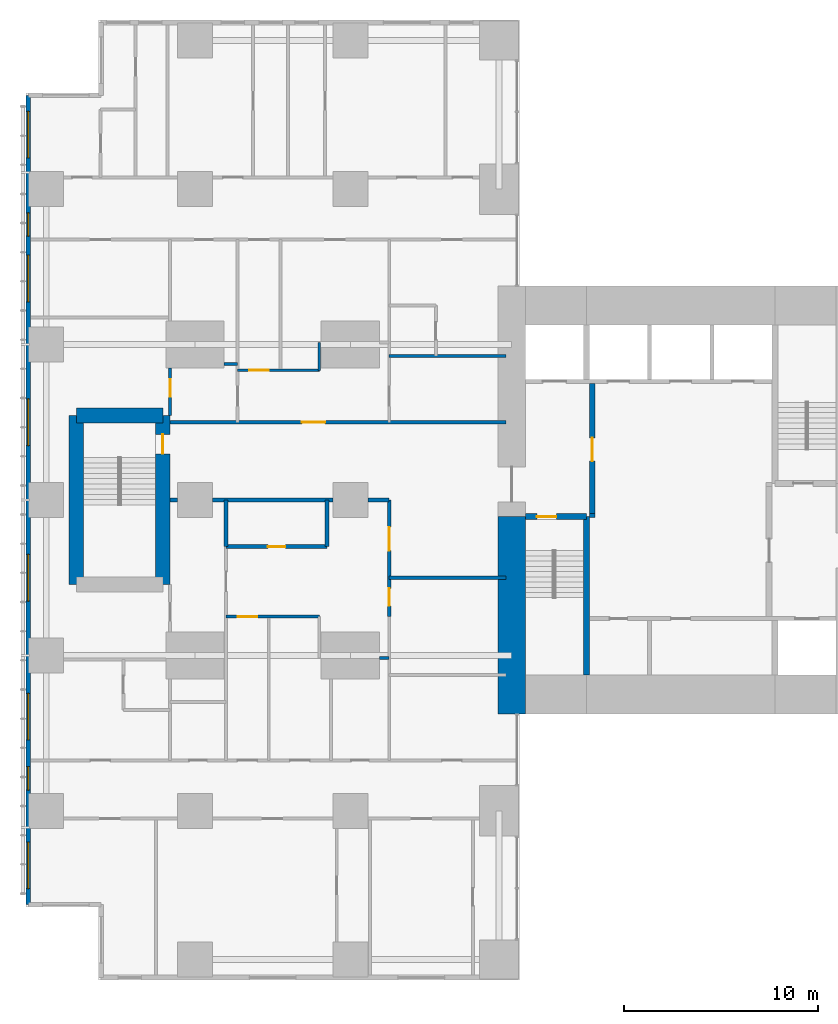
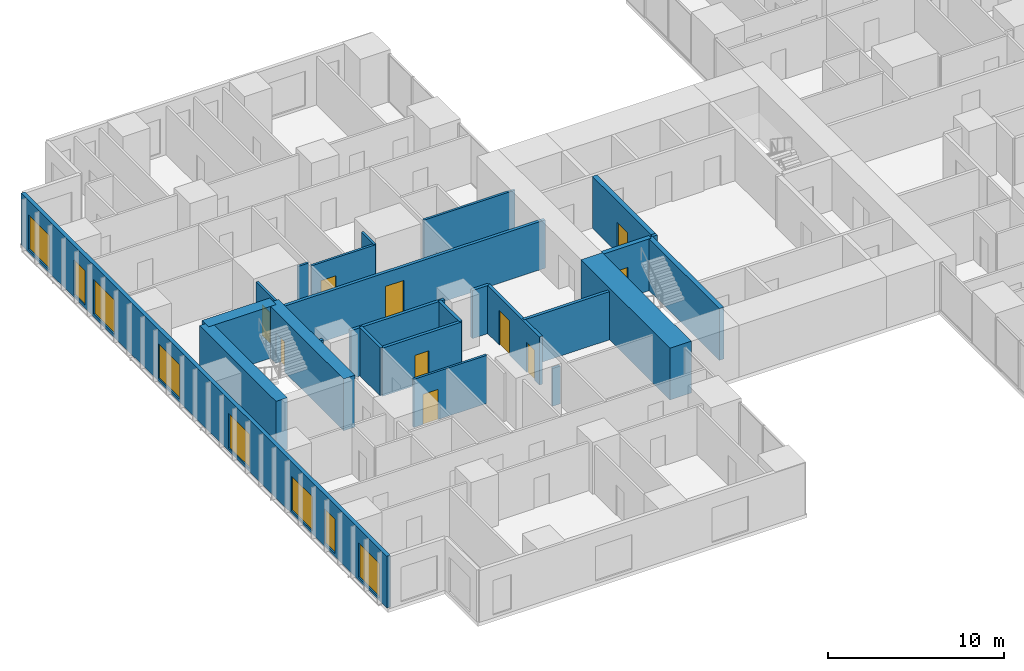
# One storey, part 13 of 20: 25 walls, 10 doors, 8 windows, 18 openings.
"""IFC4 building model written with IfcOpenShell, lengths in metres."""

from ifc_helpers import new_model, si_unit, direction, frame, frame_2d, origin, place, context, subcontext, project, spatial, rectangle, extrude, material, layer, layer_set, type_object, element, fill, save


model = new_model("IFC4")

# Units and contexts
model_context = context("Model", 3, precision=1e-05, world=origin(), true_north=direction((0.0, 1.0)))
body_context = subcontext(model_context, "Body", "Model", "MODEL_VIEW")
ifc_project = project(units=[si_unit("LENGTHUNIT", "METRE"), si_unit("AREAUNIT", "SQUARE_METRE"), si_unit("VOLUMEUNIT", "CUBIC_METRE"), si_unit("PLANEANGLEUNIT", "RADIAN"), si_unit("MASSUNIT", "GRAM", prefix="KILO")], contexts=[model_context])

# Site, building, storey
site_placement = place(None, origin())
site = spatial("IfcSite", under=ifc_project, at=site_placement, CompositionType="ELEMENT")
building_placement = place(site_placement, origin())
building = spatial("IfcBuilding", under=site, at=building_placement, Name="Cleftline Residences", CompositionType="ELEMENT")
storey_placement = place(building_placement, frame((0.0, 0.0, 193.0)))
storey = spatial("IfcBuildingStorey", under=building, at=storey_placement, Name="L50", CompositionType="ELEMENT", Elevation=193.0)

# Walls
ifc_material_1 = material(Name="Concrete B70", Category="concrete")
ifc_layer_1 = layer(ifc_material_1, 1.39990234375)
ifc_layer_set_1 = layer_set([ifc_layer_1], Name="CORE WALL 1400")
wall_type_1 = type_object("IfcWallType", Name="CORE WALL 1400", PredefinedType="SHEAR", material=ifc_layer_set_1)
wall_1_placement = place(storey_placement, frame((24.300048828125, 13.0, 0.0), z_axis=(0.0, 0.0, 1.0), x_axis=(0.0, 1.0, 0.0)))
element("IfcWall", 1, at=wall_1_placement, inside=storey, type_object=wall_type_1, Name="Core wall W0", PredefinedType="SHEAR", context=body_context, shape_type="SweptSolid", body=[
    extrude(rectangle(XDim=10.14990234375, YDim=1.39990234375, at=frame_2d((5.074951171875, 0.0))), origin(), (0.0, 0.0, 1.0), 3.60009765625),
])
ifc_material_2 = material(Name="Concrete B70", Category="concrete")
ifc_layer_2 = layer(ifc_material_2, 0.300048828125)
ifc_layer_set_2 = layer_set([ifc_layer_2], Name="CORE WALL 300")
wall_type_2 = type_object("IfcWallType", Name="CORE WALL 300", PredefinedType="SHEAR", material=ifc_layer_set_2)
wall_2_placement = place(storey_placement, frame((28.14990234375, 15.0, 0.0), z_axis=(0.0, 0.0, 1.0), x_axis=(0.0, 1.0, 0.0)))
element("IfcWall", 2, at=wall_2_placement, inside=storey, type_object=wall_type_2, Name="Core wall SA-E", PredefinedType="SHEAR", context=body_context, shape_type="SweptSolid", body=[
    extrude(rectangle(XDim=8.14990234375, YDim=0.300048828125, at=frame_2d((4.074951171875, 0.0))), origin(), (0.0, 0.0, 1.0), 3.60009765625),
])

# Wall, opening, door
wall_3_placement = place(storey_placement, frame((25.0, 23.14990234375, 0.0), z_axis=(0.0, 0.0, 1.0), x_axis=(1.0, 0.0, 0.0)))
wall_3 = element("IfcWall", 3, at=wall_3_placement, inside=storey, type_object=wall_type_2, Name="Core wall SA-N", PredefinedType="SHEAR", context=body_context, shape_type="SweptSolid", body=[
    extrude(rectangle(XDim=3.14990234375, YDim=0.300048828125, at=frame_2d((1.574951171875, 0.0))), origin(), (0.0, 0.0, 1.0), 3.60009765625),
])
opening_1_placement = place(wall_3_placement, frame((0.60009765625, 0.0, 0.0)))
opening_1 = element("IfcOpeningElement", 4, at=opening_1_placement, cuts=wall_3, Name="Opening D5", PredefinedType="OPENING", context=body_context, shape_type="SweptSolid", body=[
    extrude(rectangle(XDim=1.0, YDim=2.10009765625, at=frame_2d((0.5, 1.050048828125))), frame((0.0, 0.159912109375, 0.0), z_axis=(0.0, -1.0, 0.0), x_axis=(1.0, 0.0, 0.0)), (0.0, 0.0, 1.0), 0.320068359375),
])
ifc_material_3 = material(Name="Steel", Category="steel")
door_type_1 = type_object("IfcDoorType", Name="STAIR DOOR 1000X2100", OperationType="SINGLE_SWING_LEFT", PredefinedType="DOOR", material=ifc_material_3)
door_1_placement = place(opening_1_placement, origin())
door_1 = element("IfcDoor", 5, at=door_1_placement, inside=storey, type_object=door_type_1, Name="Stair A door", OperationType="SINGLE_SWING_RIGHT", OverallHeight=2.10009765625, OverallWidth=1.0, PredefinedType="DOOR", context=body_context, shape_type="SweptSolid", body=[
    extrude(rectangle(XDim=1.0, YDim=2.10009765625, at=frame_2d((0.5, 1.050048828125))), frame((0.0, 0.02490234375, 0.0), z_axis=(0.0, -1.0, 0.0), x_axis=(1.0, 0.0, 0.0)), (0.0, 0.0, 1.0), 0.050048828125),
])
fill(opening_1, door_1)

# Wall, openings, windows
ifc_material_4 = material(Name="Rendered reinforced concrete blockwork", Category="masonry")
ifc_layer_3 = layer(ifc_material_4, 0.25)
ifc_layer_set_3 = layer_set([ifc_layer_3], Name="EXTERNAL WALL 250")
wall_type_3 = type_object("IfcWallType", Name="EXTERNAL WALL 250", PredefinedType="SOLIDWALL", material=ifc_layer_set_3)
wall_4_placement = place(storey_placement, frame((-0.574951171875, 44.824951171875, 0.0), z_axis=(0.0, 0.0, 1.0), x_axis=(0.0, -1.0, 0.0)))
wall_4 = element("IfcWall", 6, at=wall_4_placement, inside=storey, type_object=wall_type_3, Name="External wall", PredefinedType="SOLIDWALL", context=body_context, shape_type="SweptSolid", body=[
    extrude(rectangle(XDim=41.64990234375, YDim=0.25, at=frame_2d((20.824951171875, 0.0))), origin(), (0.0, 0.0, 1.0), 3.60009765625),
])
opening_2_placement = place(wall_4_placement, frame((0.824951171875, 0.0, 0.199951171875)))
opening_2 = element("IfcOpeningElement", 7, at=opening_2_placement, cuts=wall_4, Name="Opening W9", PredefinedType="OPENING", context=body_context, shape_type="SweptSolid", body=[
    extrude(rectangle(XDim=2.39990234375, YDim=2.39990234375, at=frame_2d((1.199951171875, 1.199951171875))), frame((0.0, 0.135009765625, 0.0), z_axis=(0.0, -1.0, 0.0), x_axis=(1.0, 0.0, 0.0)), (0.0, 0.0, 1.0), 0.27001953125),
])
opening_3_placement = place(wall_4_placement, frame((6.050048828125, 0.0, 0.199951171875)))
opening_3 = element("IfcOpeningElement", 8, at=opening_3_placement, cuts=wall_4, Name="Opening W13", PredefinedType="OPENING", context=body_context, shape_type="SweptSolid", body=[
    extrude(rectangle(XDim=1.199951171875, YDim=2.39990234375, at=frame_2d((0.60009765625, 1.199951171875))), frame((0.0, 0.135009765625, 0.0), z_axis=(0.0, -1.0, 0.0), x_axis=(1.0, 0.0, 0.0)), (0.0, 0.0, 1.0), 0.27001953125),
])
opening_4_placement = place(wall_4_placement, frame((8.22509765625, 0.0, 0.199951171875)))
opening_4 = element("IfcOpeningElement", 9, at=opening_4_placement, cuts=wall_4, Name="Opening W9", PredefinedType="OPENING", context=body_context, shape_type="SweptSolid", body=[
    extrude(rectangle(XDim=2.39990234375, YDim=2.39990234375, at=frame_2d((1.199951171875, 1.199951171875))), frame((0.0, 0.135009765625, 0.0), z_axis=(0.0, -1.0, 0.0), x_axis=(1.0, 0.0, 0.0)), (0.0, 0.0, 1.0), 0.27001953125),
])
opening_5_placement = place(wall_4_placement, frame((15.625, 0.0, 0.199951171875)))
opening_5 = element("IfcOpeningElement", 10, at=opening_5_placement, cuts=wall_4, Name="Opening W9", PredefinedType="OPENING", context=body_context, shape_type="SweptSolid", body=[
    extrude(rectangle(XDim=2.39990234375, YDim=2.39990234375, at=frame_2d((1.199951171875, 1.199951171875))), frame((0.0, 0.135009765625, 0.0), z_axis=(0.0, -1.0, 0.0), x_axis=(1.0, 0.0, 0.0)), (0.0, 0.0, 1.0), 0.27001953125),
])
opening_6_placement = place(wall_4_placement, frame((23.625, 0.0, 0.199951171875)))
opening_6 = element("IfcOpeningElement", 11, at=opening_6_placement, cuts=wall_4, Name="Opening W9", PredefinedType="OPENING", context=body_context, shape_type="SweptSolid", body=[
    extrude(rectangle(XDim=2.39990234375, YDim=2.39990234375, at=frame_2d((1.199951171875, 1.199951171875))), frame((0.0, 0.135009765625, 0.0), z_axis=(0.0, -1.0, 0.0), x_axis=(1.0, 0.0, 0.0)), (0.0, 0.0, 1.0), 0.27001953125),
])
opening_7_placement = place(wall_4_placement, frame((30.77490234375, 0.0, 0.199951171875)))
opening_7 = element("IfcOpeningElement", 12, at=opening_7_placement, cuts=wall_4, Name="Opening W9", PredefinedType="OPENING", context=body_context, shape_type="SweptSolid", body=[
    extrude(rectangle(XDim=2.39990234375, YDim=2.39990234375, at=frame_2d((1.199951171875, 1.199951171875))), frame((0.0, 0.135009765625, 0.0), z_axis=(0.0, -1.0, 0.0), x_axis=(1.0, 0.0, 0.0)), (0.0, 0.0, 1.0), 0.27001953125),
])
opening_8_placement = place(wall_4_placement, frame((34.550048828125, 0.0, 0.199951171875)))
opening_8 = element("IfcOpeningElement", 13, at=opening_8_placement, cuts=wall_4, Name="Opening W13", PredefinedType="OPENING", context=body_context, shape_type="SweptSolid", body=[
    extrude(rectangle(XDim=1.199951171875, YDim=2.39990234375, at=frame_2d((0.60009765625, 1.199951171875))), frame((0.0, 0.135009765625, 0.0), z_axis=(0.0, -1.0, 0.0), x_axis=(1.0, 0.0, 0.0)), (0.0, 0.0, 1.0), 0.27001953125),
])
opening_9_placement = place(wall_4_placement, frame((38.425048828125, 0.0, 0.199951171875)))
opening_9 = element("IfcOpeningElement", 14, at=opening_9_placement, cuts=wall_4, Name="Opening W9", PredefinedType="OPENING", context=body_context, shape_type="SweptSolid", body=[
    extrude(rectangle(XDim=2.39990234375, YDim=2.39990234375, at=frame_2d((1.199951171875, 1.199951171875))), frame((0.0, 0.135009765625, 0.0), z_axis=(0.0, -1.0, 0.0), x_axis=(1.0, 0.0, 0.0)), (0.0, 0.0, 1.0), 0.27001953125),
])
ifc_material_5 = material(Name="Aluminium frame, clear double glazing", Category="aluminium")
window_type_1 = type_object("IfcWindowType", Name="WINDOW 1200X2400", PartitioningType="DOUBLE_PANEL_VERTICAL", PredefinedType="WINDOW", material=ifc_material_5)
window_1_placement = place(opening_3_placement, origin())
window_1 = element("IfcWindow", 15, at=window_1_placement, inside=storey, type_object=window_type_1, Name="Window", OverallHeight=2.39990234375, OverallWidth=1.199951171875, PartitioningType="SINGLE_PANEL", PredefinedType="WINDOW", context=body_context, shape_type="SweptSolid", body=[
    extrude(rectangle(XDim=1.199951171875, YDim=2.39990234375, at=frame_2d((0.60009765625, 1.199951171875))), frame((0.0, 0.030029296875, 0.0), z_axis=(0.0, -1.0, 0.0), x_axis=(1.0, 0.0, 0.0)), (0.0, 0.0, 1.0), 0.06005859375),
])
fill(opening_3, window_1)
window_2_placement = place(opening_8_placement, origin())
window_2 = element("IfcWindow", 16, at=window_2_placement, inside=storey, type_object=window_type_1, Name="Window", OverallHeight=2.39990234375, OverallWidth=1.199951171875, PartitioningType="SINGLE_PANEL", PredefinedType="WINDOW", context=body_context, shape_type="SweptSolid", body=[
    extrude(rectangle(XDim=1.199951171875, YDim=2.39990234375, at=frame_2d((0.60009765625, 1.199951171875))), frame((0.0, 0.030029296875, 0.0), z_axis=(0.0, -1.0, 0.0), x_axis=(1.0, 0.0, 0.0)), (0.0, 0.0, 1.0), 0.06005859375),
])
fill(opening_8, window_2)
ifc_material_6 = material(Name="Aluminium frame, clear double glazing", Category="aluminium")
window_type_2 = type_object("IfcWindowType", Name="WINDOW 2400X2400", PartitioningType="DOUBLE_PANEL_VERTICAL", PredefinedType="WINDOW", material=ifc_material_6)
window_3_placement = place(opening_2_placement, origin())
window_3 = element("IfcWindow", 17, at=window_3_placement, inside=storey, type_object=window_type_2, Name="Window", OverallHeight=2.39990234375, OverallWidth=2.39990234375, PartitioningType="SINGLE_PANEL", PredefinedType="WINDOW", context=body_context, shape_type="SweptSolid", body=[
    extrude(rectangle(XDim=2.39990234375, YDim=2.39990234375, at=frame_2d((1.199951171875, 1.199951171875))), frame((0.0, 0.030029296875, 0.0), z_axis=(0.0, -1.0, 0.0), x_axis=(1.0, 0.0, 0.0)), (0.0, 0.0, 1.0), 0.06005859375),
])
fill(opening_2, window_3)
window_4_placement = place(opening_4_placement, origin())
window_4 = element("IfcWindow", 18, at=window_4_placement, inside=storey, type_object=window_type_2, Name="Window", OverallHeight=2.39990234375, OverallWidth=2.39990234375, PartitioningType="SINGLE_PANEL", PredefinedType="WINDOW", context=body_context, shape_type="SweptSolid", body=[
    extrude(rectangle(XDim=2.39990234375, YDim=2.39990234375, at=frame_2d((1.199951171875, 1.199951171875))), frame((0.0, 0.030029296875, 0.0), z_axis=(0.0, -1.0, 0.0), x_axis=(1.0, 0.0, 0.0)), (0.0, 0.0, 1.0), 0.06005859375),
])
fill(opening_4, window_4)
window_5_placement = place(opening_5_placement, origin())
window_5 = element("IfcWindow", 19, at=window_5_placement, inside=storey, type_object=window_type_2, Name="Window", OverallHeight=2.39990234375, OverallWidth=2.39990234375, PartitioningType="SINGLE_PANEL", PredefinedType="WINDOW", context=body_context, shape_type="SweptSolid", body=[
    extrude(rectangle(XDim=2.39990234375, YDim=2.39990234375, at=frame_2d((1.199951171875, 1.199951171875))), frame((0.0, 0.030029296875, 0.0), z_axis=(0.0, -1.0, 0.0), x_axis=(1.0, 0.0, 0.0)), (0.0, 0.0, 1.0), 0.06005859375),
])
fill(opening_5, window_5)
window_6_placement = place(opening_6_placement, origin())
window_6 = element("IfcWindow", 20, at=window_6_placement, inside=storey, type_object=window_type_2, Name="Window", OverallHeight=2.39990234375, OverallWidth=2.39990234375, PartitioningType="SINGLE_PANEL", PredefinedType="WINDOW", context=body_context, shape_type="SweptSolid", body=[
    extrude(rectangle(XDim=2.39990234375, YDim=2.39990234375, at=frame_2d((1.199951171875, 1.199951171875))), frame((0.0, 0.030029296875, 0.0), z_axis=(0.0, -1.0, 0.0), x_axis=(1.0, 0.0, 0.0)), (0.0, 0.0, 1.0), 0.06005859375),
])
fill(opening_6, window_6)
window_7_placement = place(opening_7_placement, origin())
window_7 = element("IfcWindow", 21, at=window_7_placement, inside=storey, type_object=window_type_2, Name="Window", OverallHeight=2.39990234375, OverallWidth=2.39990234375, PartitioningType="SINGLE_PANEL", PredefinedType="WINDOW", context=body_context, shape_type="SweptSolid", body=[
    extrude(rectangle(XDim=2.39990234375, YDim=2.39990234375, at=frame_2d((1.199951171875, 1.199951171875))), frame((0.0, 0.030029296875, 0.0), z_axis=(0.0, -1.0, 0.0), x_axis=(1.0, 0.0, 0.0)), (0.0, 0.0, 1.0), 0.06005859375),
])
fill(opening_7, window_7)
window_8_placement = place(opening_9_placement, origin())
window_8 = element("IfcWindow", 22, at=window_8_placement, inside=storey, type_object=window_type_2, Name="Window", OverallHeight=2.39990234375, OverallWidth=2.39990234375, PartitioningType="SINGLE_PANEL", PredefinedType="WINDOW", context=body_context, shape_type="SweptSolid", body=[
    extrude(rectangle(XDim=2.39990234375, YDim=2.39990234375, at=frame_2d((1.199951171875, 1.199951171875))), frame((0.0, 0.030029296875, 0.0), z_axis=(0.0, -1.0, 0.0), x_axis=(1.0, 0.0, 0.0)), (0.0, 0.0, 1.0), 0.06005859375),
])
fill(opening_9, window_8)

# Wall
ifc_material_7 = material(Name="Concrete blockwork, fire rated", Category="masonry")
ifc_layer_4 = layer(ifc_material_7, 0.199951171875)
ifc_layer_set_4 = layer_set([ifc_layer_4], Name="FIRE WALL 200")
wall_type_4 = type_object("IfcWallType", Name="FIRE WALL 200", PredefinedType="PARTITIONING", material=ifc_layer_set_4)
wall_5_placement = place(storey_placement, frame((18.0, 20.0, 0.0), z_axis=(0.0, 0.0, 1.0), x_axis=(1.0, 0.0, 0.0)))
element("IfcWall", 23, at=wall_5_placement, inside=storey, type_object=wall_type_4, Name="Fire separating wall", PredefinedType="PARTITIONING", context=body_context, shape_type="SweptSolid", body=[
    extrude(rectangle(XDim=6.0, YDim=0.199951171875, at=frame_2d((3.0, 0.0))), origin(), (0.0, 0.0, 1.0), 3.35009765625),
])

# Wall, opening, door
wall_6_placement = place(storey_placement, frame((9.60009765625, 21.60009765625, 0.0), z_axis=(0.0, 0.0, 1.0), x_axis=(1.0, 0.0, 0.0)))
wall_6 = element("IfcWall", 24, at=wall_6_placement, inside=storey, type_object=wall_type_4, Name="Fire separating wall", PredefinedType="PARTITIONING", context=body_context, shape_type="SweptSolid", body=[
    extrude(rectangle(XDim=5.199951171875, YDim=0.199951171875, at=frame_2d((2.60009765625, 0.0))), origin(), (0.0, 0.0, 1.0), 3.35009765625),
])
opening_10_placement = place(wall_6_placement, frame((2.14990234375, 0.0, 0.0)))
opening_10 = element("IfcOpeningElement", 25, at=opening_10_placement, cuts=wall_6, Name="Opening D1F30", PredefinedType="OPENING", context=body_context, shape_type="SweptSolid", body=[
    extrude(rectangle(XDim=0.89990234375, YDim=2.10009765625, at=frame_2d((0.449951171875, 1.050048828125))), frame((0.0, 0.10986328125, 0.0), z_axis=(0.0, -1.0, 0.0), x_axis=(1.0, 0.0, 0.0)), (0.0, 0.0, 1.0), 0.219970703125),
])
ifc_material_8 = material(Name="Timber veneer on solid core", Category="wood")
door_type_2 = type_object("IfcDoorType", Name="DOOR 900X2100 EI 30", OperationType="SINGLE_SWING_LEFT", PredefinedType="DOOR", material=ifc_material_8)
door_2_placement = place(opening_10_placement, origin())
door_2 = element("IfcDoor", 26, at=door_2_placement, inside=storey, type_object=door_type_2, Name="Door to cloakroom wc", OperationType="SINGLE_SWING_LEFT", OverallHeight=2.10009765625, OverallWidth=0.89990234375, PredefinedType="DOOR", context=body_context, shape_type="SweptSolid", body=[
    extrude(rectangle(XDim=0.89990234375, YDim=2.10009765625, at=frame_2d((0.449951171875, 1.050048828125))), frame((0.0, 0.02490234375, 0.0), z_axis=(0.0, -1.0, 0.0), x_axis=(1.0, 0.0, 0.0)), (0.0, 0.0, 1.0), 0.050048828125),
])
fill(opening_10, door_2)

# Walls
wall_7_placement = place(storey_placement, frame((6.72509765625, 24.0, 0.0), z_axis=(0.0, 0.0, 1.0), x_axis=(1.0, 0.0, 0.0)))
element("IfcWall", 27, at=wall_7_placement, inside=storey, type_object=wall_type_4, Name="Fire separating wall", PredefinedType="PARTITIONING", context=body_context, shape_type="SweptSolid", body=[
    extrude(rectangle(XDim=0.375, YDim=0.199951171875, at=frame_2d((0.1875, 0.0))), origin(), (0.0, 0.0, 1.0), 3.35009765625),
])
wall_8_placement = place(storey_placement, frame((8.89990234375, 24.0, 0.0), z_axis=(0.0, 0.0, 1.0), x_axis=(1.0, 0.0, 0.0)))
element("IfcWall", 28, at=wall_8_placement, inside=storey, type_object=wall_type_4, Name="Fire separating wall", PredefinedType="PARTITIONING", context=body_context, shape_type="SweptSolid", body=[
    extrude(rectangle(XDim=6.2001953125, YDim=0.199951171875, at=frame_2d((3.10009765625, 0.0))), origin(), (0.0, 0.0, 1.0), 3.35009765625),
])
wall_9_placement = place(storey_placement, frame((16.89990234375, 24.0, 0.0), z_axis=(0.0, 0.0, 1.0), x_axis=(1.0, 0.0, 0.0)))
element("IfcWall", 29, at=wall_9_placement, inside=storey, type_object=wall_type_4, Name="Fire separating wall", PredefinedType="PARTITIONING", context=body_context, shape_type="SweptSolid", body=[
    extrude(rectangle(XDim=1.10009765625, YDim=0.199951171875, at=frame_2d((0.550048828125, 0.0))), origin(), (0.0, 0.0, 1.0), 3.35009765625),
])

# Wall, opening, door
wall_10_placement = place(storey_placement, frame((6.72509765625, 28.0, 0.0), z_axis=(0.0, 0.0, 1.0), x_axis=(1.0, 0.0, 0.0)))
wall_10 = element("IfcWall", 30, at=wall_10_placement, inside=storey, type_object=wall_type_4, Name="Fire separating wall", PredefinedType="PARTITIONING", context=body_context, shape_type="SweptSolid", body=[
    extrude(rectangle(XDim=17.27490234375, YDim=0.199951171875, at=frame_2d((8.637451171875, 0.0))), origin(), (0.0, 0.0, 1.0), 3.35009765625),
])
opening_11_placement = place(wall_10_placement, frame((6.77490234375, 0.0, 0.0)))
opening_11 = element("IfcOpeningElement", 31, at=opening_11_placement, cuts=wall_10, Name="Opening D4", PredefinedType="OPENING", context=body_context, shape_type="SweptSolid", body=[
    extrude(rectangle(XDim=1.199951171875, YDim=2.39990234375, at=frame_2d((0.60009765625, 1.199951171875))), frame((0.0, 0.10986328125, 0.0), z_axis=(0.0, -1.0, 0.0), x_axis=(1.0, 0.0, 0.0)), (0.0, 0.0, 1.0), 0.219970703125),
])
ifc_material_9 = material(Name="Timber veneer on solid core", Category="wood")
door_type_3 = type_object("IfcDoorType", Name="APARTMENT ENTRANCE DOOR 1200X2400", OperationType="SINGLE_SWING_RIGHT", PredefinedType="DOOR", material=ifc_material_9)
door_3_placement = place(opening_11_placement, origin())
door_3 = element("IfcDoor", 32, at=door_3_placement, inside=storey, type_object=door_type_3, Name="Door to residence entrance (gallery)", OperationType="SINGLE_SWING_RIGHT", OverallHeight=2.39990234375, OverallWidth=1.199951171875, PredefinedType="DOOR", context=body_context, shape_type="SweptSolid", body=[
    extrude(rectangle(XDim=1.199951171875, YDim=2.39990234375, at=frame_2d((0.60009765625, 1.199951171875))), frame((0.0, 0.02490234375, 0.0), z_axis=(0.0, -1.0, 0.0), x_axis=(1.0, 0.0, 0.0)), (0.0, 0.0, 1.0), 0.050048828125),
])
fill(opening_11, door_3)

# Walls
for number, where, z_axis, x_axis, name in (
    (33, (9.60009765625, 21.60009765625, 0.0), (0.0, 0.0, 1.0), (0.0, 1.0, 0.0), "Fire separating wall"),
    (34, (14.800048828125, 21.60009765625, 0.0), (0.0, 0.0, 1.0), (0.0, 1.0, 0.0), "Fire separating wall"),
):
    element("IfcWall", number, at=place(storey_placement, frame(where, z_axis=z_axis, x_axis=x_axis)), inside=storey, type_object=wall_type_4, Name=name, PredefinedType="PARTITIONING", context=body_context, shape_type="SweptSolid", body=[
        extrude(rectangle(XDim=2.39990234375, YDim=0.199951171875, at=frame_2d((1.199951171875, 0.0))), origin(), (0.0, 0.0, 1.0), 3.35009765625),
    ])

# Wall, openings, doors
wall_11_placement = place(storey_placement, frame((18.0, 18.0, 0.0), z_axis=(0.0, 0.0, 1.0), x_axis=(0.0, 1.0, 0.0)))
wall_11 = element("IfcWall", 35, at=wall_11_placement, inside=storey, type_object=wall_type_4, Name="Fire separating wall", PredefinedType="PARTITIONING", context=body_context, shape_type="SweptSolid", body=[
    extrude(rectangle(XDim=6.0, YDim=0.199951171875, at=frame_2d((3.0, 0.0))), origin(), (0.0, 0.0, 1.0), 3.35009765625),
])
opening_12_placement = place(wall_11_placement, frame((3.39990234375, 0.0, 0.0)))
opening_12 = element("IfcOpeningElement", 36, at=opening_12_placement, cuts=wall_11, Name="Opening D4", PredefinedType="OPENING", context=body_context, shape_type="SweptSolid", body=[
    extrude(rectangle(XDim=1.199951171875, YDim=2.39990234375, at=frame_2d((0.60009765625, 1.199951171875))), frame((0.0, 0.10986328125, 0.0), z_axis=(0.0, -1.0, 0.0), x_axis=(1.0, 0.0, 0.0)), (0.0, 0.0, 1.0), 0.219970703125),
])
opening_13_placement = place(wall_11_placement, frame((0.550048828125, 0.0, 0.0)))
opening_13 = element("IfcOpeningElement", 37, at=opening_13_placement, cuts=wall_11, Name="Opening D1F30", PredefinedType="OPENING", context=body_context, shape_type="SweptSolid", body=[
    extrude(rectangle(XDim=0.89990234375, YDim=2.10009765625, at=frame_2d((0.449951171875, 1.050048828125))), frame((0.0, 0.10986328125, 0.0), z_axis=(0.0, -1.0, 0.0), x_axis=(1.0, 0.0, 0.0)), (0.0, 0.0, 1.0), 0.219970703125),
])
door_4_placement = place(opening_12_placement, origin())
door_4 = element("IfcDoor", 38, at=door_4_placement, inside=storey, type_object=door_type_3, Name="Door to residence entrance foyer", OperationType="SINGLE_SWING_LEFT", OverallHeight=2.39990234375, OverallWidth=1.199951171875, PredefinedType="DOOR", context=body_context, shape_type="SweptSolid", body=[
    extrude(rectangle(XDim=1.199951171875, YDim=2.39990234375, at=frame_2d((0.60009765625, 1.199951171875))), frame((0.0, 0.02490234375, 0.0), z_axis=(0.0, -1.0, 0.0), x_axis=(1.0, 0.0, 0.0)), (0.0, 0.0, 1.0), 0.050048828125),
])
fill(opening_12, door_4)
door_5_placement = place(opening_13_placement, origin())
door_5 = element("IfcDoor", 39, at=door_5_placement, inside=storey, type_object=door_type_2, Name="Door to utility room", OperationType="SINGLE_SWING_RIGHT", OverallHeight=2.10009765625, OverallWidth=0.89990234375, PredefinedType="DOOR", context=body_context, shape_type="SweptSolid", body=[
    extrude(rectangle(XDim=0.89990234375, YDim=2.10009765625, at=frame_2d((0.449951171875, 1.050048828125))), frame((0.0, 0.02490234375, 0.0), z_axis=(0.0, -1.0, 0.0), x_axis=(1.0, 0.0, 0.0)), (0.0, 0.0, 1.0), 0.050048828125),
])
fill(opening_13, door_5)

# Walls
wall_12_placement = place(storey_placement, frame((28.300048828125, 23.199951171875, 0.0), z_axis=(0.0, 0.0, 1.0), x_axis=(1.0, 0.0, 0.0)))
element("IfcWall", 40, at=wall_12_placement, inside=storey, type_object=wall_type_4, Name="Fire separating wall", PredefinedType="PARTITIONING", context=body_context, shape_type="SweptSolid", body=[
    extrude(rectangle(XDim=0.300048828125, YDim=0.199951171875, at=frame_2d((0.14990234375, 0.0))), origin(), (0.0, 0.0, 1.0), 3.60009765625),
])
ifc_material_10 = material(Name="Gypsum board on steel studs", Category="steel")
ifc_layer_5 = layer(ifc_material_10, 0.14990234375)
ifc_layer_set_5 = layer_set([ifc_layer_5], Name="PARTITION 150")
wall_type_5 = type_object("IfcWallType", Name="PARTITION 150", PredefinedType="PARTITIONING", material=ifc_layer_set_5)
wall_13_placement = place(storey_placement, frame((17.5, 15.875, 0.0), z_axis=(0.0, 0.0, 1.0), x_axis=(1.0, 0.0, 0.0)))
element("IfcWall", 41, at=wall_13_placement, inside=storey, type_object=wall_type_5, Name="Partition", PredefinedType="PARTITIONING", context=body_context, shape_type="SweptSolid", body=[
    extrude(rectangle(XDim=0.5, YDim=0.14990234375, at=frame_2d((0.25, 0.0))), origin(), (0.0, 0.0, 1.0), 2.634033203125),
])

# Wall, opening, door
wall_14_placement = place(storey_placement, frame((9.60009765625, 18.0, 0.0), z_axis=(0.0, 0.0, 1.0), x_axis=(1.0, 0.0, 0.0)))
wall_14 = element("IfcWall", 42, at=wall_14_placement, inside=storey, type_object=wall_type_5, Name="Partition", PredefinedType="PARTITIONING", context=body_context, shape_type="SweptSolid", body=[
    extrude(rectangle(XDim=4.7998046875, YDim=0.14990234375, at=frame_2d((2.39990234375, 0.0))), origin(), (0.0, 0.0, 1.0), 3.35009765625),
])
opening_14_placement = place(wall_14_placement, frame((0.60009765625, 0.0, 0.0)))
opening_14 = element("IfcOpeningElement", 43, at=opening_14_placement, cuts=wall_14, Name="Opening D2", PredefinedType="OPENING", context=body_context, shape_type="SweptSolid", body=[
    extrude(rectangle(XDim=1.0, YDim=2.10009765625, at=frame_2d((0.5, 1.050048828125))), frame((0.0, 0.0849609375, 0.0), z_axis=(0.0, -1.0, 0.0), x_axis=(1.0, 0.0, 0.0)), (0.0, 0.0, 1.0), 0.169921875),
])
ifc_material_11 = material(Name="Timber veneer on solid core", Category="wood")
door_type_4 = type_object("IfcDoorType", Name="DOOR 1000X2100", OperationType="SINGLE_SWING_LEFT", PredefinedType="DOOR", material=ifc_material_11)
door_6_placement = place(opening_14_placement, origin())
door_6 = element("IfcDoor", 44, at=door_6_placement, inside=storey, type_object=door_type_4, Name="Door to residence passage", OperationType="SINGLE_SWING_RIGHT", OverallHeight=2.10009765625, OverallWidth=1.0, PredefinedType="DOOR", context=body_context, shape_type="SweptSolid", body=[
    extrude(rectangle(XDim=1.0, YDim=2.10009765625, at=frame_2d((0.5, 1.050048828125))), frame((0.0, 0.02490234375, 0.0), z_axis=(0.0, -1.0, 0.0), x_axis=(1.0, 0.0, 0.0)), (0.0, 0.0, 1.0), 0.050048828125),
])
fill(opening_14, door_6)

wall_15_placement = place(storey_placement, frame((10.199951171875, 30.675048828125, 0.0), z_axis=(0.0, 0.0, 1.0), x_axis=(1.0, 0.0, 0.0)))
wall_15 = element("IfcWall", 45, at=wall_15_placement, inside=storey, type_object=wall_type_5, Name="Partition", PredefinedType="PARTITIONING", context=body_context, shape_type="SweptSolid", body=[
    extrude(rectangle(XDim=4.199951171875, YDim=0.14990234375, at=frame_2d((2.10009765625, 0.0))), origin(), (0.0, 0.0, 1.0), 3.35009765625),
])
opening_15_placement = place(wall_15_placement, frame((0.60009765625, 0.0, 0.0)))
opening_15 = element("IfcOpeningElement", 46, at=opening_15_placement, cuts=wall_15, Name="Opening D2", PredefinedType="OPENING", context=body_context, shape_type="SweptSolid", body=[
    extrude(rectangle(XDim=1.0, YDim=2.10009765625, at=frame_2d((0.5, 1.050048828125))), frame((0.0, 0.0849609375, 0.0), z_axis=(0.0, -1.0, 0.0), x_axis=(1.0, 0.0, 0.0)), (0.0, 0.0, 1.0), 0.169921875),
])
door_7_placement = place(opening_15_placement, origin())
door_7 = element("IfcDoor", 47, at=door_7_placement, inside=storey, type_object=door_type_4, Name="Door to residence passage", OperationType="SINGLE_SWING_RIGHT", OverallHeight=2.10009765625, OverallWidth=1.0, PredefinedType="DOOR", context=body_context, shape_type="SweptSolid", body=[
    extrude(rectangle(XDim=1.0, YDim=2.10009765625, at=frame_2d((0.5, 1.050048828125))), frame((0.0, 0.02490234375, 0.0), z_axis=(0.0, -1.0, 0.0), x_axis=(1.0, 0.0, 0.0)), (0.0, 0.0, 1.0), 0.050048828125),
])
fill(opening_15, door_7)

# Walls
wall_16_placement = place(storey_placement, frame((9.5, 31.0, 0.0), z_axis=(0.0, 0.0, 1.0), x_axis=(1.0, 0.0, 0.0)))
element("IfcWall", 48, at=wall_16_placement, inside=storey, type_object=wall_type_5, Name="Partition", PredefinedType="PARTITIONING", context=body_context, shape_type="SweptSolid", body=[
    extrude(rectangle(XDim=0.699951171875, YDim=0.14990234375, at=frame_2d((0.35009765625, 0.0))), origin(), (0.0, 0.0, 1.0), 3.35009765625),
])
wall_17_placement = place(storey_placement, frame((18.0, 31.39990234375, 0.0), z_axis=(0.0, 0.0, 1.0), x_axis=(1.0, 0.0, 0.0)))
element("IfcWall", 49, at=wall_17_placement, inside=storey, type_object=wall_type_5, Name="Partition", PredefinedType="PARTITIONING", context=body_context, shape_type="SweptSolid", body=[
    extrude(rectangle(XDim=6.0, YDim=0.14990234375, at=frame_2d((3.0, 0.0))), origin(), (0.0, 0.0, 1.0), 3.35009765625),
])

# Wall, opening, door
wall_18_placement = place(storey_placement, frame((6.72509765625, 28.35009765625, 0.0), z_axis=(0.0, 0.0, 1.0), x_axis=(0.0, 1.0, 0.0)))
wall_18 = element("IfcWall", 50, at=wall_18_placement, inside=storey, type_object=wall_type_5, Name="Partition", PredefinedType="PARTITIONING", context=body_context, shape_type="SweptSolid", body=[
    extrude(rectangle(XDim=2.449951171875, YDim=0.14990234375, at=frame_2d((1.22509765625, 0.0))), origin(), (0.0, 0.0, 1.0), 3.35009765625),
])
opening_16_placement = place(wall_18_placement, frame((0.96240234375, 0.0, 0.0)))
opening_16 = element("IfcOpeningElement", 51, at=opening_16_placement, cuts=wall_18, Name="Opening D1", PredefinedType="OPENING", context=body_context, shape_type="SweptSolid", body=[
    extrude(rectangle(XDim=0.89990234375, YDim=2.10009765625, at=frame_2d((0.449951171875, 1.050048828125))), frame((0.0, 0.0849609375, 0.0), z_axis=(0.0, -1.0, 0.0), x_axis=(1.0, 0.0, 0.0)), (0.0, 0.0, 1.0), 0.169921875),
])
ifc_material_12 = material(Name="Timber veneer on solid core", Category="wood")
door_type_5 = type_object("IfcDoorType", Name="DOOR 900X2100", OperationType="SINGLE_SWING_LEFT", PredefinedType="DOOR", material=ifc_material_12)
door_8_placement = place(opening_16_placement, origin())
door_8 = element("IfcDoor", 52, at=door_8_placement, inside=storey, type_object=door_type_5, Name="Door to drying loggia", OperationType="SINGLE_SWING_LEFT", OverallHeight=2.10009765625, OverallWidth=0.89990234375, PredefinedType="DOOR", context=body_context, shape_type="SweptSolid", body=[
    extrude(rectangle(XDim=0.89990234375, YDim=2.10009765625, at=frame_2d((0.449951171875, 1.050048828125))), frame((0.0, 0.02490234375, 0.0), z_axis=(0.0, -1.0, 0.0), x_axis=(1.0, 0.0, 0.0)), (0.0, 0.0, 1.0), 0.050048828125),
])
fill(opening_16, door_8)

# Wall
wall_19_placement = place(storey_placement, frame((14.39990234375, 30.675048828125, 0.0), z_axis=(0.0, 0.0, 1.0), x_axis=(0.0, 1.0, 0.0)))
element("IfcWall", 53, at=wall_19_placement, inside=storey, type_object=wall_type_5, Name="Partition", PredefinedType="PARTITIONING", context=body_context, shape_type="SweptSolid", body=[
    extrude(rectangle(XDim=1.425048828125, YDim=0.14990234375, at=frame_2d((0.71240234375, 0.0))), origin(), (0.0, 0.0, 1.0), 3.35009765625),
])

# Wall, opening, door
ifc_material_13 = material(Name="Concrete B70", Category="concrete")
ifc_layer_6 = layer(ifc_material_13, 0.75)
ifc_layer_set_6 = layer_set([ifc_layer_6], Name="SHEAR WALL 750")
wall_type_6 = type_object("IfcWallType", Name="SHEAR WALL 750", PredefinedType="SHEAR", material=ifc_layer_set_6)
wall_20_placement = place(storey_placement, frame((6.35009765625, 19.64990234375, 0.0), z_axis=(0.0, 0.0, 1.0), x_axis=(0.0, 1.0, 0.0)))
wall_20 = element("IfcWall", 54, at=wall_20_placement, inside=storey, type_object=wall_type_6, Name="Wing shear wall", PredefinedType="SHEAR", context=body_context, shape_type="SweptSolid", body=[
    extrude(rectangle(XDim=8.7001953125, YDim=0.75, at=frame_2d((4.35009765625, 0.0))), origin(), (0.0, 0.0, 1.0), 3.60009765625),
])
opening_17_placement = place(wall_20_placement, frame((6.72509765625, 0.0, 0.0)))
opening_17 = element("IfcOpeningElement", 55, at=opening_17_placement, cuts=wall_20, Name="Opening D5", PredefinedType="OPENING", context=body_context, shape_type="SweptSolid", body=[
    extrude(rectangle(XDim=1.0, YDim=2.10009765625, at=frame_2d((0.5, 1.050048828125))), frame((0.0, 0.385009765625, 0.0), z_axis=(0.0, -1.0, 0.0), x_axis=(1.0, 0.0, 0.0)), (0.0, 0.0, 1.0), 0.77001953125),
])
door_9_placement = place(opening_17_placement, origin())
door_9 = element("IfcDoor", 56, at=door_9_placement, inside=storey, type_object=door_type_1, Name="Stair W door", OperationType="SINGLE_SWING_LEFT", OverallHeight=2.10009765625, OverallWidth=1.0, PredefinedType="DOOR", context=body_context, shape_type="SweptSolid", body=[
    extrude(rectangle(XDim=1.0, YDim=2.10009765625, at=frame_2d((0.5, 1.050048828125))), frame((0.0, 0.02490234375, 0.0), z_axis=(0.0, -1.0, 0.0), x_axis=(1.0, 0.0, 0.0)), (0.0, 0.0, 1.0), 0.050048828125),
])
fill(opening_17, door_9)

# Walls
wall_21_placement = place(storey_placement, frame((6.35009765625, 28.35009765625, 0.0), z_axis=(0.0, 0.0, 1.0), x_axis=(-1.0, 0.0, 0.0)))
element("IfcWall", 57, at=wall_21_placement, inside=storey, type_object=wall_type_6, Name="Wing shear wall", PredefinedType="SHEAR", context=body_context, shape_type="SweptSolid", body=[
    extrude(rectangle(XDim=4.4501953125, YDim=0.75, at=frame_2d((2.22509765625, 0.0))), origin(), (0.0, 0.0, 1.0), 3.60009765625),
])
wall_22_placement = place(storey_placement, frame((1.89990234375, 28.35009765625, 0.0), z_axis=(0.0, 0.0, 1.0), x_axis=(0.0, -1.0, 0.0)))
element("IfcWall", 58, at=wall_22_placement, inside=storey, type_object=wall_type_6, Name="Wing shear wall", PredefinedType="SHEAR", context=body_context, shape_type="SweptSolid", body=[
    extrude(rectangle(XDim=8.7001953125, YDim=0.75, at=frame_2d((4.35009765625, 0.0))), origin(), (0.0, 0.0, 1.0), 3.60009765625),
])

# Wall, opening, door
ifc_material_14 = material(Name="Concrete blockwork, fire rated", Category="masonry")
ifc_layer_7 = layer(ifc_material_14, 0.300048828125)
ifc_layer_set_7 = layer_set([ifc_layer_7], Name="STAIR LOBBY WALL 300")
wall_type_7 = type_object("IfcWallType", Name="STAIR LOBBY WALL 300", PredefinedType="PARTITIONING", material=ifc_layer_set_7)
wall_23_placement = place(storey_placement, frame((28.449951171875, 23.300048828125, 0.0), z_axis=(0.0, 0.0, 1.0), x_axis=(0.0, 1.0, 0.0)))
wall_23 = element("IfcWall", 59, at=wall_23_placement, inside=storey, type_object=wall_type_7, Name="Stair and lobby wall FA-E", PredefinedType="PARTITIONING", context=body_context, shape_type="SweptSolid", body=[
    extrude(rectangle(XDim=6.699951171875, YDim=0.300048828125, at=frame_2d((3.35009765625, 0.0))), origin(), (0.0, 0.0, 1.0), 3.60009765625),
])
opening_18_placement = place(wall_23_placement, frame((2.699951171875, 0.0, 0.0)))
opening_18 = element("IfcOpeningElement", 60, at=opening_18_placement, cuts=wall_23, Name="Opening D6", PredefinedType="OPENING", context=body_context, shape_type="SweptSolid", body=[
    extrude(rectangle(XDim=1.199951171875, YDim=2.10009765625, at=frame_2d((0.60009765625, 1.050048828125))), frame((0.0, 0.159912109375, 0.0), z_axis=(0.0, -1.0, 0.0), x_axis=(1.0, 0.0, 0.0)), (0.0, 0.0, 1.0), 0.320068359375),
])
ifc_material_15 = material(Name="Steel", Category="steel")
door_type_6 = type_object("IfcDoorType", Name="LOBBY DOOR 1200X2100", OperationType="SINGLE_SWING_RIGHT", PredefinedType="DOOR", material=ifc_material_15)
door_10_placement = place(opening_18_placement, origin())
door_10 = element("IfcDoor", 61, at=door_10_placement, inside=storey, type_object=door_type_6, Name="Firefighting lobby A door", OperationType="SINGLE_SWING_RIGHT", OverallHeight=2.10009765625, OverallWidth=1.199951171875, PredefinedType="DOOR", context=body_context, shape_type="SweptSolid", body=[
    extrude(rectangle(XDim=1.199951171875, YDim=2.10009765625, at=frame_2d((0.60009765625, 1.050048828125))), frame((0.0, 0.02490234375, 0.0), z_axis=(0.0, -1.0, 0.0), x_axis=(1.0, 0.0, 0.0)), (0.0, 0.0, 1.0), 0.050048828125),
])
fill(opening_18, door_10)

save(model, "model.ifc")
